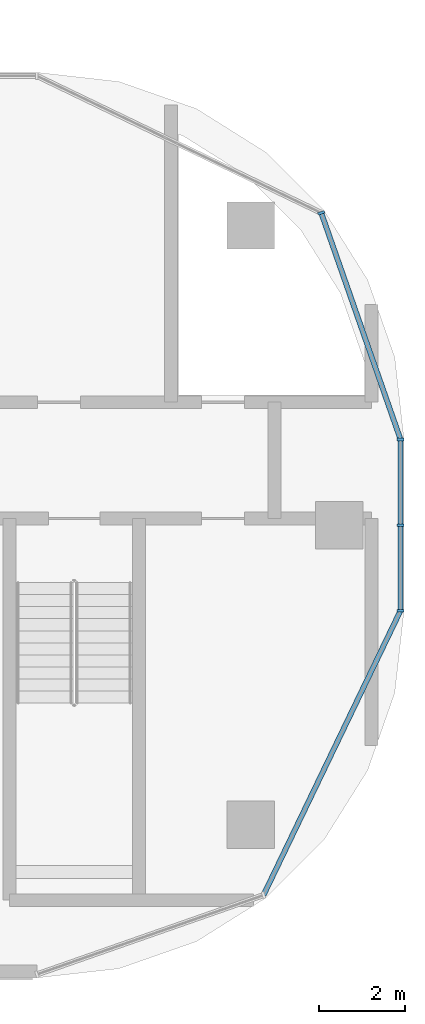
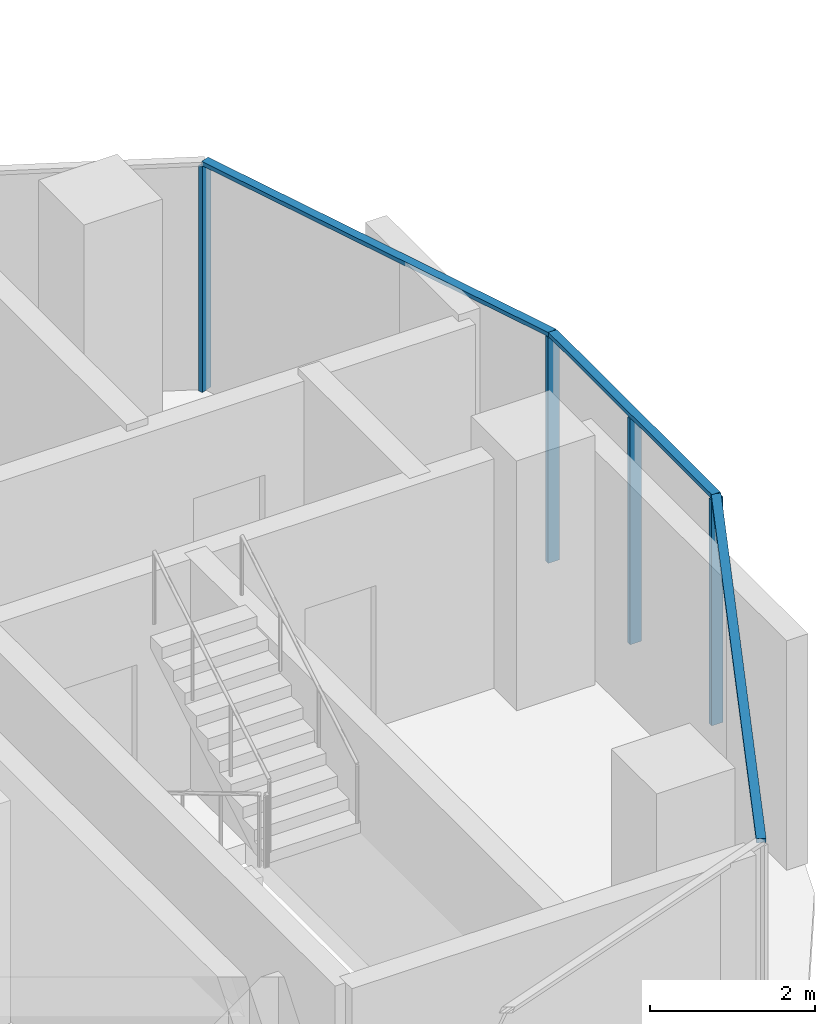
# One storey, part 5 of 22: 7 members, 3 elements without a shape of their own.
"""IFC4 building model written with IfcOpenShell, lengths in metres."""

from ifc_helpers import new_model, si_unit, direction, frame, origin, origin_2d, place, context, subcontext, project, spatial, rectangle, extrude, material, material_profile, profile_set, type_object, element, aggregate, save


model = new_model("IFC4")

# Units and contexts
model_context = context("Model", 3, precision=1e-05, world=origin(), true_north=direction((0.0, 1.0)))
body_context = subcontext(model_context, "Body", "Model", "MODEL_VIEW")
ifc_project = project(units=[si_unit("LENGTHUNIT", "METRE"), si_unit("AREAUNIT", "SQUARE_METRE"), si_unit("VOLUMEUNIT", "CUBIC_METRE"), si_unit("PLANEANGLEUNIT", "RADIAN"), si_unit("MASSUNIT", "GRAM", prefix="KILO")], contexts=[model_context])

# Site, building, storey
site_placement = place(None, origin())
site = spatial("IfcSite", under=ifc_project, at=site_placement, CompositionType="ELEMENT")
building_placement = place(site_placement, origin())
building = spatial("IfcBuilding", under=site, at=building_placement, Name="Ogive Portal Towers", CompositionType="ELEMENT")
storey_placement = place(building_placement, frame((0.0, 0.0, 145.89990234375)))
storey = spatial("IfcBuildingStorey", under=building, at=storey_placement, Name="L35", CompositionType="ELEMENT", Elevation=145.89990234375)

# Curtain wall, members
ifc_material_1 = material(Name="Glass, clear low-iron insulated glazing", Category="glass")
curtain_wall_type = type_object("IfcCurtainWallType", Name="CW FRONT RIBBON 4500", PredefinedType="NOTDEFINED", material=ifc_material_1)
curtain_wall_1_placement = place(storey_placement, origin())
curtain_wall_1 = element("IfcCurtainWall", 1, at=curtain_wall_1_placement, inside=storey, type_object=curtain_wall_type, Name="A:L35:f09:cw0", PredefinedType="NOTDEFINED")
ifc_material_2 = material(Name="Aluminium 6063 anodised", Category="aluminium")
ifc_material_profile_1 = material_profile(ifc_material_2, rectangle(XDim=0.159912109375, YDim=0.06005859375, at=origin_2d()), Name="AL 60x160")
ifc_profile_set_1 = profile_set([ifc_material_profile_1], Name="Aluminium 6063 anodised")
member_type_1 = type_object("IfcMemberType", Name="CW MULLION 60x160", PredefinedType="MULLION", material=ifc_profile_set_1)
member_1_placement = place(storey_placement, frame((95.919921875, 28.518310546875, 0.0), z_axis=(0.0, 0.0, 1.0), x_axis=(-1.0, 0.0, 0.0)))
member_1 = element("IfcMember", 2, at=member_1_placement, type_object=member_type_1, Name="mullion", PredefinedType="MULLION", context=body_context, shape_type="SweptSolid", body=[
    extrude(rectangle(XDim=0.159912109375, YDim=0.06005859375, at=origin_2d()), origin(), (0.0, 0.0, 1.0), 3.340087890625),
])
member_2_placement = place(storey_placement, frame((95.919921875, 30.5, 0.0), z_axis=(0.0, 0.0, 1.0), x_axis=(-1.0, 0.0, 0.0)))
member_2 = element("IfcMember", 3, at=member_2_placement, type_object=member_type_1, Name="mullion", PredefinedType="MULLION", context=body_context, shape_type="SweptSolid", body=[
    extrude(rectangle(XDim=0.159912109375, YDim=0.06005859375, at=origin_2d()), origin(), (0.0, 0.0, 1.0), 3.340087890625),
])
member_3_placement = place(storey_placement, frame((95.919921875, 32.486328125, 0.0), z_axis=(0.0, 0.0, 1.0), x_axis=(-1.0, 0.0, 0.0)))
member_3 = element("IfcMember", 4, at=member_3_placement, type_object=member_type_1, Name="mullion", PredefinedType="MULLION", context=body_context, shape_type="SweptSolid", body=[
    extrude(rectangle(XDim=0.159912109375, YDim=0.06005859375, at=origin_2d()), origin(), (0.0, 0.0, 1.0), 3.340087890625),
])

# Curtain wall, member
curtain_wall_2_placement = place(storey_placement, origin())
curtain_wall_2 = element("IfcCurtainWall", 5, at=curtain_wall_2_placement, inside=storey, type_object=curtain_wall_type, Name="A:L35:f10:cwa", PredefinedType="NOTDEFINED")
member_4_placement = place(storey_placement, frame((94.0810546875, 37.741943359375, 0.0), z_axis=(0.0, 0.0, 1.0), x_axis=(-0.943883330307, -0.33027906196, 0.0)))
member_4 = element("IfcMember", 6, at=member_4_placement, type_object=member_type_1, Name="mullion", PredefinedType="MULLION", context=body_context, shape_type="SweptSolid", body=[
    extrude(rectangle(XDim=0.159912109375, YDim=0.06005859375, at=origin_2d()), origin(), (0.0, 0.0, 1.0), 3.340087890625),
])

# Member
ifc_material_profile_2 = material_profile(ifc_material_2, rectangle(XDim=0.1201171875, YDim=0.06005859375, at=origin_2d()), Name="AL 120x60")
ifc_profile_set_2 = profile_set([ifc_material_profile_2], Name="Aluminium 6063 anodised")
member_type_2 = type_object("IfcMemberType", Name="CW TRANSOM 60x120", PredefinedType="USERDEFINED", material=ifc_profile_set_2)
member_5_placement = place(storey_placement, frame((95.919921875, 28.518310546875, 3.3701171875), z_axis=(0.0, 1.0, 0.0), x_axis=(-1.0, 0.0, 0.0)))
member_5 = element("IfcMember", 7, at=member_5_placement, type_object=member_type_2, Name="transom", ObjectType="TRANSOM", PredefinedType="USERDEFINED", context=body_context, shape_type="SweptSolid", body=[
    extrude(rectangle(XDim=0.1201171875, YDim=0.06005859375, at=origin_2d()), origin(), (0.0, 0.0, 1.0), 3.968017578125),
])

aggregate(curtain_wall_1, [member_5, member_1, member_2, member_3])

# Curtain wall, member
curtain_wall_3_placement = place(storey_placement, origin())
curtain_wall_3 = element("IfcCurtainWall", 8, at=curtain_wall_3_placement, inside=storey, type_object=curtain_wall_type, Name="A:L35:f07:cwa", PredefinedType="NOTDEFINED")
member_6_placement = place(storey_placement, frame((92.741943359375, 21.9189453125, 3.3701171875), z_axis=(0.433871738997, 0.900974646757, 0.0), x_axis=(-0.900974646757, 0.433871738997, 0.0)))
member_6 = element("IfcMember", 9, at=member_6_placement, type_object=member_type_2, Name="transom", ObjectType="TRANSOM", PredefinedType="USERDEFINED", context=body_context, shape_type="SweptSolid", body=[
    extrude(rectangle(XDim=0.1201171875, YDim=0.06005859375, at=origin_2d()), origin(), (0.0, 0.0, 1.0), 7.32470703125),
])
aggregate(curtain_wall_3, [member_6])

# Member
member_7_placement = place(storey_placement, frame((95.919921875, 32.486328125, 3.3701171875), z_axis=(-0.330254721593, 0.943891847017, 0.0), x_axis=(-0.943891847017, -0.330254721593, 0.0)))
member_7 = element("IfcMember", 10, at=member_7_placement, type_object=member_type_2, Name="transom", ObjectType="TRANSOM", PredefinedType="USERDEFINED", context=body_context, shape_type="SweptSolid", body=[
    extrude(rectangle(XDim=0.1201171875, YDim=0.06005859375, at=origin_2d()), origin(), (0.0, 0.0, 1.0), 5.568115234375),
])

aggregate(curtain_wall_2, [member_7, member_4])

save(model, "model.ifc")
